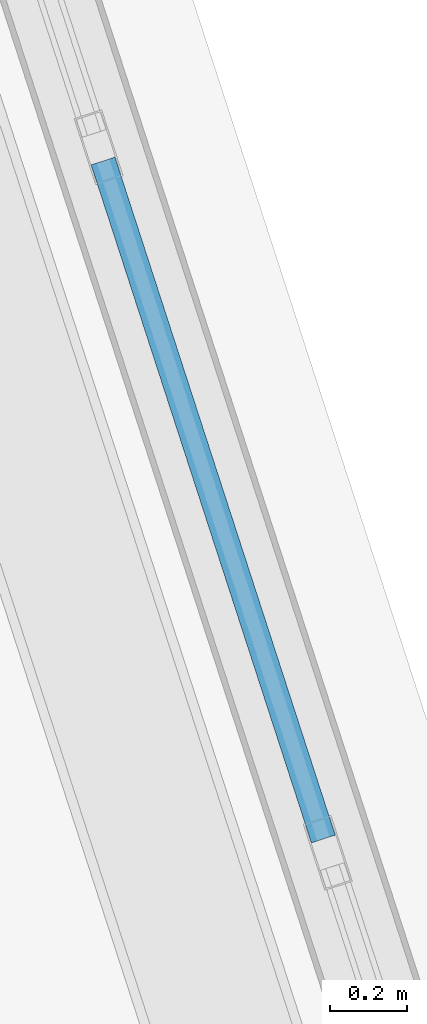
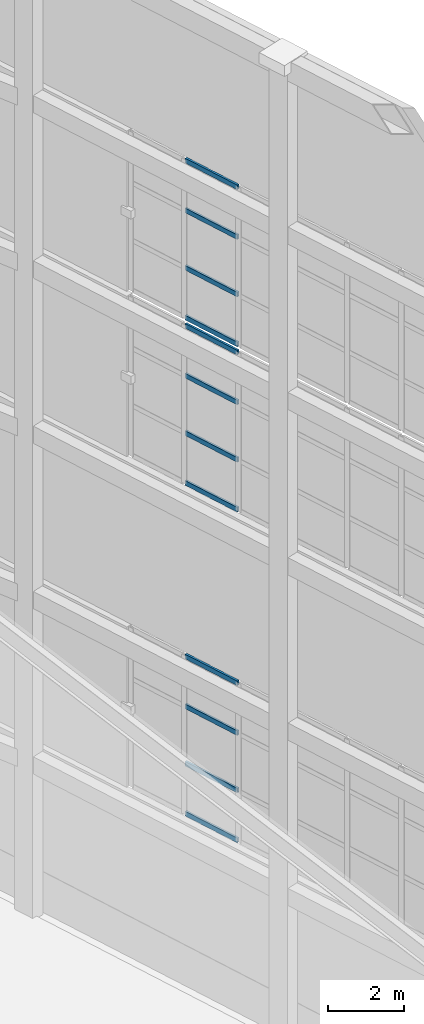
# One storey, part 38 of 56: 12 members, 3 elements without a shape of their own.
"""IFC4 building model written with IfcOpenShell, lengths in metres."""

from ifc_helpers import new_model, si_unit, direction, frame, origin, origin_2d, place, context, subcontext, project, spatial, hollow_rectangle, extrude, material, layer, layer_set, material_profile, profile_set, type_object, element, aggregate, save


model = new_model("IFC4")

# Units and contexts
model_context = context("Model", 3, precision=1e-05, world=origin(), true_north=direction((0.0, 1.0)))
body_context = subcontext(model_context, "Body", "Model", "MODEL_VIEW")
ifc_project = project(units=[si_unit("LENGTHUNIT", "METRE"), si_unit("AREAUNIT", "SQUARE_METRE"), si_unit("VOLUMEUNIT", "CUBIC_METRE"), si_unit("PLANEANGLEUNIT", "RADIAN"), si_unit("MASSUNIT", "GRAM", prefix="KILO")], contexts=[model_context])

# Site, building, storey
site_placement = place(None, origin())
site = spatial("IfcSite", under=ifc_project, at=site_placement, CompositionType="ELEMENT")
building_placement = place(site_placement, origin())
building = spatial("IfcBuilding", under=site, at=building_placement, Name="Qiaolan Cultural Towers", CompositionType="ELEMENT")
storey_placement = place(building_placement, frame((0.0, 0.0, 250.39990234375)))
storey = spatial("IfcBuildingStorey", under=building, at=storey_placement, Name="L68", CompositionType="ELEMENT", Elevation=250.39990234375)

# Curtain wall, members
ifc_material_1 = material(Name="Unitized Anodized Aluminium Curtain Wall System", Category="aluminium")
ifc_layer = layer(ifc_material_1, 0.199951171875)
ifc_layer_set = layer_set([ifc_layer], Name="Unitized Anodized Aluminium Curtain Wall System")
curtain_wall_type = type_object("IfcCurtainWallType", Name="CWS-06", PredefinedType="NOTDEFINED", material=ifc_layer_set)
curtain_wall_1_placement = place(storey_placement, origin())
curtain_wall_1 = element("IfcCurtainWall", 1, at=curtain_wall_1_placement, inside=storey, type_object=curtain_wall_type, Name="T2 Crown Tier 2 Fritted Screen Curtain Wall 3", PredefinedType="NOTDEFINED")
ifc_material_2 = material(Name="Extruded Aluminium 6063-T6", Category="aluminium")
ifc_material_profile = material_profile(ifc_material_2, hollow_rectangle(XDim=0.06494140625, YDim=0.14990234375, WallThickness=0.00390625, at=origin_2d()), Name="CWT-150x65x4")
ifc_profile_set = profile_set([ifc_material_profile], Name="Extruded Aluminium 6063-T6")
member_type = type_object("IfcMemberType", Name="CWS-06-TRN", PredefinedType="USERDEFINED", material=ifc_profile_set)
member_1_placement = place(storey_placement, frame((102.567138671875, 40.1416015625, 5.4326171875), z_axis=(-0.30899331187, 0.951064210882, 0.0), x_axis=(-0.951064210882, -0.30899331187, 0.0)))
member_1 = element("IfcMember", 2, at=member_1_placement, type_object=member_type, Name="CW-6 transom 5.1", ObjectType="TRANSOM", PredefinedType="USERDEFINED", context=body_context, shape_type="SweptSolid", body=[
    extrude(hollow_rectangle(XDim=0.06494140625, YDim=0.14990234375, WallThickness=0.00390625, at=origin_2d()), origin(), (0.0, 0.0, 1.0), 1.844970703125),
])
member_2_placement = place(storey_placement, frame((102.567138671875, 40.1416015625, 7.030029296875), z_axis=(-0.30899331187, 0.951064210882, 0.0), x_axis=(-0.951064210882, -0.30899331187, 0.0)))
member_2 = element("IfcMember", 3, at=member_2_placement, type_object=member_type, Name="CW-6 transom 5.2", ObjectType="TRANSOM", PredefinedType="USERDEFINED", context=body_context, shape_type="SweptSolid", body=[
    extrude(hollow_rectangle(XDim=0.06494140625, YDim=0.14990234375, WallThickness=0.00390625, at=origin_2d()), origin(), (0.0, 0.0, 1.0), 1.844970703125),
])
member_3_placement = place(storey_placement, frame((102.567138671875, 40.1416015625, 8.8701171875), z_axis=(-0.30899331187, 0.951064210882, 0.0), x_axis=(-0.951064210882, -0.30899331187, 0.0)))
member_3 = element("IfcMember", 4, at=member_3_placement, type_object=member_type, Name="CW-6 transom 5.3", ObjectType="TRANSOM", PredefinedType="USERDEFINED", context=body_context, shape_type="SweptSolid", body=[
    extrude(hollow_rectangle(XDim=0.06494140625, YDim=0.14990234375, WallThickness=0.00390625, at=origin_2d()), origin(), (0.0, 0.0, 1.0), 1.844970703125),
])
member_4_placement = place(storey_placement, frame((102.567138671875, 40.1416015625, 10.467529296875), z_axis=(-0.30899331187, 0.951064210882, 0.0), x_axis=(-0.951064210882, -0.30899331187, 0.0)))
member_4 = element("IfcMember", 5, at=member_4_placement, type_object=member_type, Name="CW-6 transom 5.4", ObjectType="TRANSOM", PredefinedType="USERDEFINED", context=body_context, shape_type="SweptSolid", body=[
    extrude(hollow_rectangle(XDim=0.06494140625, YDim=0.14990234375, WallThickness=0.00390625, at=origin_2d()), origin(), (0.0, 0.0, 1.0), 1.844970703125),
])
aggregate(curtain_wall_1, [member_1, member_2, member_3, member_4])

curtain_wall_2_placement = place(storey_placement, origin())
curtain_wall_2 = element("IfcCurtainWall", 6, at=curtain_wall_2_placement, inside=storey, type_object=curtain_wall_type, Name="T2 Crown Tier 4 Fritted Screen Curtain Wall 3", PredefinedType="NOTDEFINED")
member_5_placement = place(storey_placement, frame((102.567138671875, 40.1416015625, 16.03271484375), z_axis=(-0.30899331187, 0.951064210882, 0.0), x_axis=(-0.951064210882, -0.30899331187, 0.0)))
member_5 = element("IfcMember", 7, at=member_5_placement, type_object=member_type, Name="CW-6 transom 5.1", ObjectType="TRANSOM", PredefinedType="USERDEFINED", context=body_context, shape_type="SweptSolid", body=[
    extrude(hollow_rectangle(XDim=0.06494140625, YDim=0.14990234375, WallThickness=0.00390625, at=origin_2d()), origin(), (0.0, 0.0, 1.0), 1.844970703125),
])
member_6_placement = place(storey_placement, frame((102.567138671875, 40.1416015625, 17.630126953125), z_axis=(-0.30899331187, 0.951064210882, 0.0), x_axis=(-0.951064210882, -0.30899331187, 0.0)))
member_6 = element("IfcMember", 8, at=member_6_placement, type_object=member_type, Name="CW-6 transom 5.2", ObjectType="TRANSOM", PredefinedType="USERDEFINED", context=body_context, shape_type="SweptSolid", body=[
    extrude(hollow_rectangle(XDim=0.06494140625, YDim=0.14990234375, WallThickness=0.00390625, at=origin_2d()), origin(), (0.0, 0.0, 1.0), 1.844970703125),
])
member_7_placement = place(storey_placement, frame((102.567138671875, 40.1416015625, 19.47021484375), z_axis=(-0.30899331187, 0.951064210882, 0.0), x_axis=(-0.951064210882, -0.30899331187, 0.0)))
member_7 = element("IfcMember", 9, at=member_7_placement, type_object=member_type, Name="CW-6 transom 5.3", ObjectType="TRANSOM", PredefinedType="USERDEFINED", context=body_context, shape_type="SweptSolid", body=[
    extrude(hollow_rectangle(XDim=0.06494140625, YDim=0.14990234375, WallThickness=0.00390625, at=origin_2d()), origin(), (0.0, 0.0, 1.0), 1.844970703125),
])
member_8_placement = place(storey_placement, frame((102.567138671875, 40.1416015625, 21.067626953125), z_axis=(-0.30899331187, 0.951064210882, 0.0), x_axis=(-0.951064210882, -0.30899331187, 0.0)))
member_8 = element("IfcMember", 10, at=member_8_placement, type_object=member_type, Name="CW-6 transom 5.4", ObjectType="TRANSOM", PredefinedType="USERDEFINED", context=body_context, shape_type="SweptSolid", body=[
    extrude(hollow_rectangle(XDim=0.06494140625, YDim=0.14990234375, WallThickness=0.00390625, at=origin_2d()), origin(), (0.0, 0.0, 1.0), 1.844970703125),
])
aggregate(curtain_wall_2, [member_5, member_6, member_7, member_8])

curtain_wall_3_placement = place(storey_placement, origin())
curtain_wall_3 = element("IfcCurtainWall", 11, at=curtain_wall_3_placement, inside=storey, type_object=curtain_wall_type, Name="T2 Crown Tier 5 Fritted Screen Curtain Wall 3", PredefinedType="NOTDEFINED")
member_9_placement = place(storey_placement, frame((102.567138671875, 40.1416015625, 21.33251953125), z_axis=(-0.30899331187, 0.951064210882, 0.0), x_axis=(-0.951064210882, -0.30899331187, 0.0)))
member_9 = element("IfcMember", 12, at=member_9_placement, type_object=member_type, Name="CW-6 transom 5.1", ObjectType="TRANSOM", PredefinedType="USERDEFINED", context=body_context, shape_type="SweptSolid", body=[
    extrude(hollow_rectangle(XDim=0.06494140625, YDim=0.14990234375, WallThickness=0.00390625, at=origin_2d()), origin(), (0.0, 0.0, 1.0), 1.844970703125),
])
member_10_placement = place(storey_placement, frame((102.567138671875, 40.1416015625, 22.93017578125), z_axis=(-0.30899331187, 0.951064210882, 0.0), x_axis=(-0.951064210882, -0.30899331187, 0.0)))
member_10 = element("IfcMember", 13, at=member_10_placement, type_object=member_type, Name="CW-6 transom 5.2", ObjectType="TRANSOM", PredefinedType="USERDEFINED", context=body_context, shape_type="SweptSolid", body=[
    extrude(hollow_rectangle(XDim=0.06494140625, YDim=0.14990234375, WallThickness=0.00390625, at=origin_2d()), origin(), (0.0, 0.0, 1.0), 1.844970703125),
])
member_11_placement = place(storey_placement, frame((102.567138671875, 40.1416015625, 24.77001953125), z_axis=(-0.30899331187, 0.951064210882, 0.0), x_axis=(-0.951064210882, -0.30899331187, 0.0)))
member_11 = element("IfcMember", 14, at=member_11_placement, type_object=member_type, Name="CW-6 transom 5.3", ObjectType="TRANSOM", PredefinedType="USERDEFINED", context=body_context, shape_type="SweptSolid", body=[
    extrude(hollow_rectangle(XDim=0.06494140625, YDim=0.14990234375, WallThickness=0.00390625, at=origin_2d()), origin(), (0.0, 0.0, 1.0), 1.844970703125),
])
member_12_placement = place(storey_placement, frame((102.567138671875, 40.1416015625, 26.36767578125), z_axis=(-0.30899331187, 0.951064210882, 0.0), x_axis=(-0.951064210882, -0.30899331187, 0.0)))
member_12 = element("IfcMember", 15, at=member_12_placement, type_object=member_type, Name="CW-6 transom 5.4", ObjectType="TRANSOM", PredefinedType="USERDEFINED", context=body_context, shape_type="SweptSolid", body=[
    extrude(hollow_rectangle(XDim=0.06494140625, YDim=0.14990234375, WallThickness=0.00390625, at=origin_2d()), origin(), (0.0, 0.0, 1.0), 1.844970703125),
])
aggregate(curtain_wall_3, [member_9, member_10, member_11, member_12])

save(model, "model.ifc")
